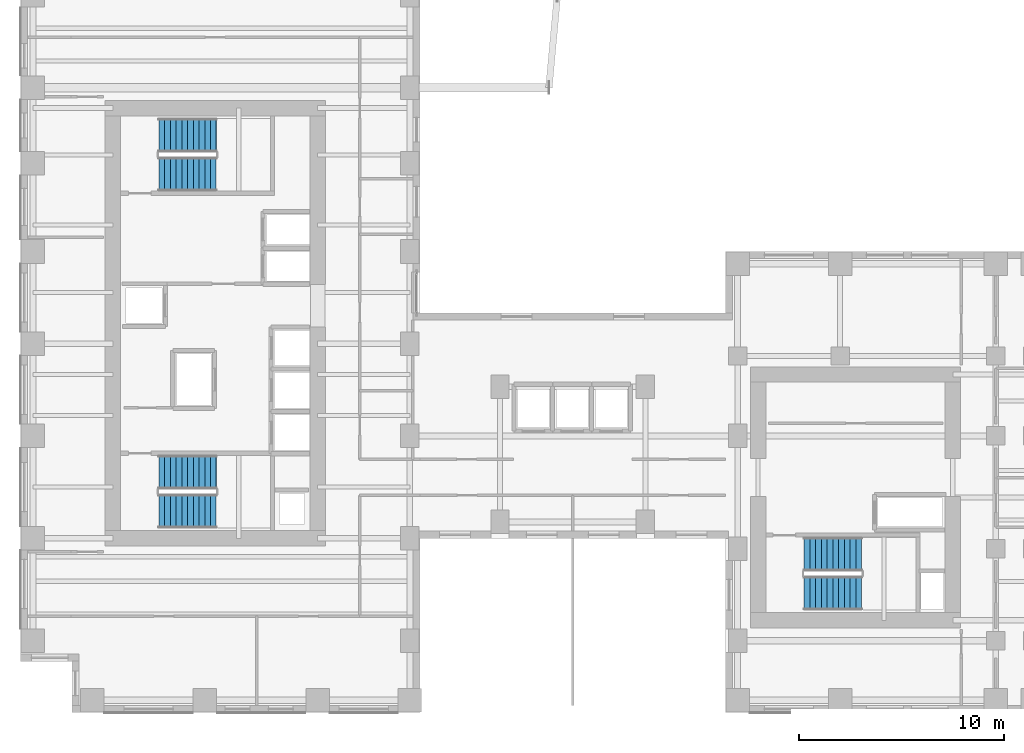
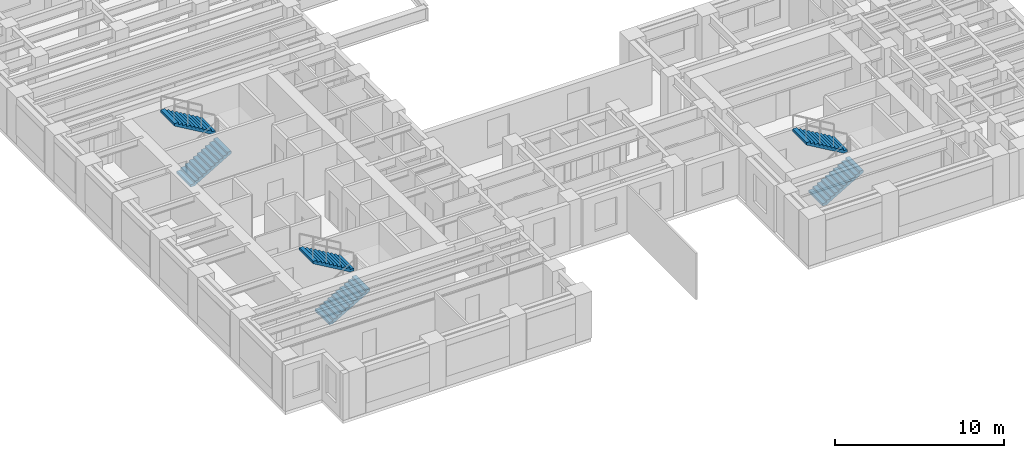
# One storey, part 12 of 14: 6 stair flights, 3 elements without a shape of their own.
"""IFC4 building model written with IfcOpenShell, lengths in metres."""

from ifc_helpers import new_model, si_unit, direction, frame, origin, place, context, subcontext, project, spatial, polyline, outline, extrude, source, transform, mapped, material, type_object, element, aggregate, save


model = new_model("IFC4")

# Units and contexts
model_context = context("Model", 3, precision=1e-05, world=origin(), true_north=direction((0.0, 1.0)))
body_context = subcontext(model_context, "Body", "Model", "MODEL_VIEW")
ifc_project = project(units=[si_unit("LENGTHUNIT", "METRE"), si_unit("AREAUNIT", "SQUARE_METRE"), si_unit("VOLUMEUNIT", "CUBIC_METRE"), si_unit("PLANEANGLEUNIT", "RADIAN"), si_unit("MASSUNIT", "GRAM", prefix="KILO")], contexts=[model_context])

# Site, building, storey
site_placement = place(None, origin())
site = spatial("IfcSite", under=ifc_project, at=site_placement, CompositionType="ELEMENT")
building_placement = place(site_placement, origin())
building = spatial("IfcBuilding", under=site, at=building_placement, Name="Kharzan Plaza Tower", CompositionType="ELEMENT")
storey_placement = place(building_placement, frame((0.0, 0.0, 124.199951171875)))
storey = spatial("IfcBuildingStorey", under=building, at=storey_placement, Name="L33", CompositionType="ELEMENT", Elevation=124.199951171875)

# Stair, stair flights
ifc_material = material(Name="Concrete C40/50", Category="concrete")
stair_type_1 = type_object("IfcStairType", Name="STR-ST-1", PredefinedType="HALF_TURN_STAIR", material=ifc_material)
stair_1_placement = place(storey_placement, origin())
stair_1 = element("IfcStair", 1, at=stair_1_placement, inside=storey, type_object=stair_type_1, Name="L33 Protected Exit Stair ST-1", PredefinedType="HALF_TURN_STAIR")
stair_flight_type = type_object("IfcStairFlightType", Name="SFL-1650-R173", PredefinedType="STRAIGHT", material=ifc_material)
shared_shape = source(origin(), body_context, "Body", "SweptSolid", [
    extrude(outline(polyline([(-0.0029296875, -0.011962890625), (-0.0029296875, 0.0), (0.0, 0.0), (0.0, 0.16357421875), (0.280029296875, 0.16357421875), (0.280029296875, 0.3271484375), (0.56005859375, 0.3271484375), (0.56005859375, 0.49072265625), (0.840087890625, 0.49072265625), (0.840087890625, 0.654296875), (1.1201171875, 0.654296875), (1.1201171875, 0.81787109375), (1.400146484375, 0.81787109375), (1.400146484375, 0.9814453125), (1.68017578125, 0.9814453125), (1.68017578125, 1.14501953125), (1.960205078125, 1.14501953125), (1.960205078125, 1.30859375), (2.240234375, 1.30859375), (2.240234375, 1.47216796875), (2.520263671875, 1.47216796875), (2.520263671875, 1.6357421875), (2.80029296875, 1.6357421875), (2.80029296875, 1.79931640625), (2.80029296875, 1.462158203125), (0.297119140625, 0.0), (0.297119140625, -0.011962890625), (-0.0029296875, -0.011962890625)])), frame((0.0, 0.824951171875, 0.0), z_axis=(0.0, -1.0, 0.0), x_axis=(1.0, 0.0, 0.0)), (0.0, 0.0, 1.0), 1.64990234375),
])
stair_flight_1_placement = place(storey_placement, frame((6.75, 9.824951171875, 0.0), z_axis=(0.0, 0.0, 1.0), x_axis=(1.0, 0.0, 0.0)))
stair_flight_1 = element("IfcStairFlight", 2, at=stair_flight_1_placement, type_object=stair_flight_type, Name="ST-1 flight 1", NumberOfRisers=11, NumberOfTreads=10, PredefinedType="STRAIGHT", RiserHeight=0.163636364, TreadLength=0.28, context=body_context, shape_type="MappedRepresentation", body=[
    mapped(shared_shape, transform((0.0, 0.0, 0.0), x_axis=(1.0, 0.0, 0.0), y_axis=(0.0, 1.0, 0.0), z_axis=(0.0, 0.0, 1.0))),
])
stair_flight_2_placement = place(storey_placement, frame((9.550048828125, 11.72509765625, 1.800048828125), z_axis=(0.0, 0.0, 1.0), x_axis=(-1.0, 0.0, 0.0)))
stair_flight_2 = element("IfcStairFlight", 3, at=stair_flight_2_placement, type_object=stair_flight_type, Name="ST-1 flight 2", NumberOfRisers=11, NumberOfTreads=10, PredefinedType="STRAIGHT", RiserHeight=0.163636364, TreadLength=0.28, context=body_context, shape_type="MappedRepresentation", body=[
    mapped(shared_shape, transform((0.0, 0.0, 0.0), x_axis=(1.0, 0.0, 0.0), y_axis=(0.0, 1.0, 0.0), z_axis=(0.0, 0.0, 1.0))),
])
aggregate(stair_1, [stair_flight_1, stair_flight_2])

stair_type_2 = type_object("IfcStairType", Name="STR-ST-2", PredefinedType="HALF_TURN_STAIR", material=ifc_material)
stair_2_placement = place(storey_placement, origin())
stair_2 = element("IfcStair", 4, at=stair_2_placement, inside=storey, type_object=stair_type_2, Name="L33 Protected Exit Stair ST-2", PredefinedType="HALF_TURN_STAIR")
stair_flight_3_placement = place(storey_placement, frame((6.75, 26.27490234375, 0.0), z_axis=(0.0, 0.0, 1.0), x_axis=(1.0, 0.0, 0.0)))
stair_flight_3 = element("IfcStairFlight", 5, at=stair_flight_3_placement, type_object=stair_flight_type, Name="ST-2 flight 1", NumberOfRisers=11, NumberOfTreads=10, PredefinedType="STRAIGHT", RiserHeight=0.163636364, TreadLength=0.28, context=body_context, shape_type="MappedRepresentation", body=[
    mapped(shared_shape, transform((0.0, 0.0, 0.0), x_axis=(1.0, 0.0, 0.0), y_axis=(0.0, 1.0, 0.0), z_axis=(0.0, 0.0, 1.0))),
])
stair_flight_4_placement = place(storey_placement, frame((9.550048828125, 28.175048828125, 1.800048828125), z_axis=(0.0, 0.0, 1.0), x_axis=(-1.0, 0.0, 0.0)))
stair_flight_4 = element("IfcStairFlight", 6, at=stair_flight_4_placement, type_object=stair_flight_type, Name="ST-2 flight 2", NumberOfRisers=11, NumberOfTreads=10, PredefinedType="STRAIGHT", RiserHeight=0.163636364, TreadLength=0.28, context=body_context, shape_type="MappedRepresentation", body=[
    mapped(shared_shape, transform((0.0, 0.0, 0.0), x_axis=(1.0, 0.0, 0.0), y_axis=(0.0, 1.0, 0.0), z_axis=(0.0, 0.0, 1.0))),
])
aggregate(stair_2, [stair_flight_3, stair_flight_4])

stair_type_3 = type_object("IfcStairType", Name="STR-ST-3", PredefinedType="HALF_TURN_STAIR", material=ifc_material)
stair_3_placement = place(storey_placement, origin())
stair_3 = element("IfcStair", 7, at=stair_3_placement, inside=storey, type_object=stair_type_3, Name="L33 Protected Exit Stair ST-3", PredefinedType="HALF_TURN_STAIR")
stair_flight_5_placement = place(storey_placement, frame((38.25, 5.824951171875, 0.0), z_axis=(0.0, 0.0, 1.0), x_axis=(1.0, 0.0, 0.0)))
stair_flight_5 = element("IfcStairFlight", 8, at=stair_flight_5_placement, type_object=stair_flight_type, Name="ST-3 flight 1", NumberOfRisers=11, NumberOfTreads=10, PredefinedType="STRAIGHT", RiserHeight=0.163636364, TreadLength=0.28, context=body_context, shape_type="MappedRepresentation", body=[
    mapped(shared_shape, transform((0.0, 0.0, 0.0), x_axis=(1.0, 0.0, 0.0), y_axis=(0.0, 1.0, 0.0), z_axis=(0.0, 0.0, 1.0))),
])
stair_flight_6_placement = place(storey_placement, frame((41.050048828125, 7.72509765625, 1.800048828125), z_axis=(0.0, 0.0, 1.0), x_axis=(-1.0, 0.0, 0.0)))
stair_flight_6 = element("IfcStairFlight", 9, at=stair_flight_6_placement, type_object=stair_flight_type, Name="ST-3 flight 2", NumberOfRisers=11, NumberOfTreads=10, PredefinedType="STRAIGHT", RiserHeight=0.163636364, TreadLength=0.28, context=body_context, shape_type="MappedRepresentation", body=[
    mapped(shared_shape, transform((0.0, 0.0, 0.0), x_axis=(1.0, 0.0, 0.0), y_axis=(0.0, 1.0, 0.0), z_axis=(0.0, 0.0, 1.0))),
])
aggregate(stair_3, [stair_flight_5, stair_flight_6])

save(model, "model.ifc")
